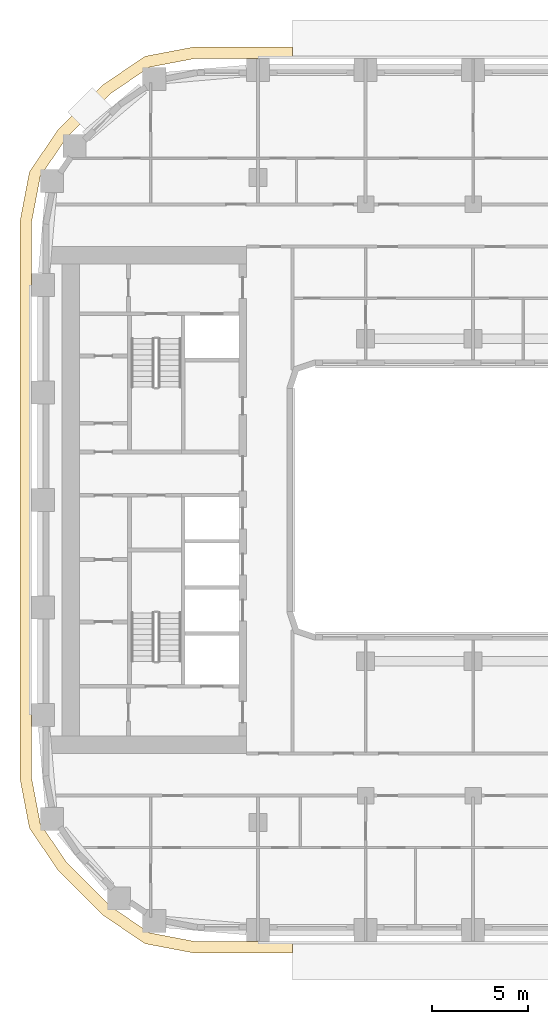
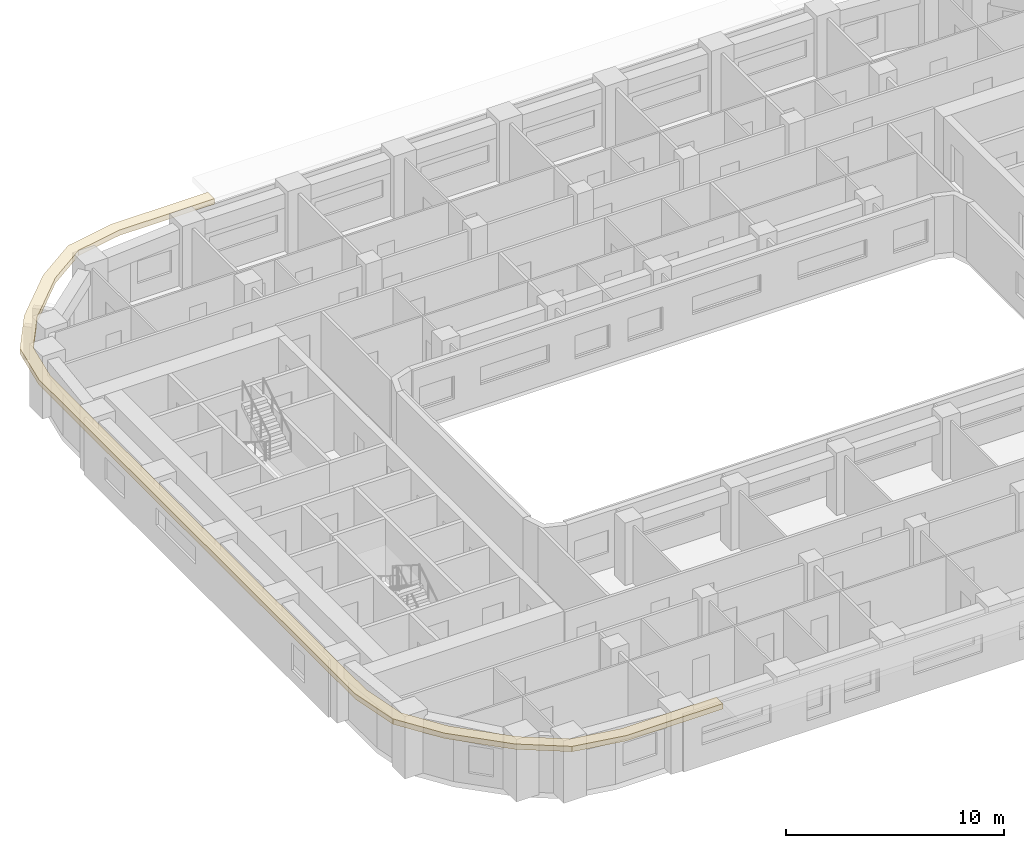
# One storey, part 14 of 21: 1 covering.
"""IFC4 building model written with IfcOpenShell, lengths in metres."""

from ifc_helpers import new_model, si_unit, direction, frame, origin, place, context, subcontext, project, spatial, polyline, outline, extrude, material, layer, layer_set, type_object, element, save


model = new_model("IFC4")

# Units and contexts
model_context = context("Model", 3, precision=1e-05, world=origin(), true_north=direction((0.0, 1.0)))
body_context = subcontext(model_context, "Body", "Model", "MODEL_VIEW")
ifc_project = project(units=[si_unit("LENGTHUNIT", "METRE"), si_unit("AREAUNIT", "SQUARE_METRE"), si_unit("VOLUMEUNIT", "CUBIC_METRE"), si_unit("PLANEANGLEUNIT", "RADIAN"), si_unit("MASSUNIT", "GRAM", prefix="KILO")], contexts=[model_context])

# Site, building, storey
site_placement = place(None, origin())
site = spatial("IfcSite", under=ifc_project, at=site_placement, CompositionType="ELEMENT")
building_placement = place(site_placement, origin())
building = spatial("IfcBuilding", under=site, at=building_placement, Name="Kiln Ring Residences", CompositionType="ELEMENT")
storey_placement = place(building_placement, frame((0.0, 0.0, 114.800048828125)))
storey = spatial("IfcBuildingStorey", under=building, at=storey_placement, Name="L29", CompositionType="ELEMENT", Elevation=114.800048828125)

# Covering
ifc_material = material(Name="Black powder-coated steel", Category="steel")
ifc_layer = layer(ifc_material, 0.300048828125)
ifc_layer_set = layer_set([ifc_layer], Name="SUNSHADE FIN 600")
covering_type = type_object("IfcCoveringType", Name="SUNSHADE FIN 600", PredefinedType="CLADDING", material=ifc_layer_set)
covering_placement = place(storey_placement, frame((0.0, 0.0, 3.199951171875)))
element("IfcCovering", 1, at=covering_placement, inside=storey, type_object=covering_type, Name="SUNSHADE FIN L29", PredefinedType="CLADDING", context=body_context, shape_type="SweptSolid", body=[
    extrude(outline(polyline([(-29.199951171875, -14.513427734375), (-28.7080078125, -17.09326171875), (-27.231689453125, -19.265380859375), (-24.865478515625, -21.631591796875), (-22.693115234375, -23.10791015625), (-20.11328125, -23.60009765625), (-15.0, -23.60009765625), (-15.0, -23.0), (-20.056640625, -23.0), (-22.458740234375, -22.541748046875), (-24.481201171875, -21.167236328125), (-26.767333984375, -18.881103515625), (-28.141845703125, -16.858642578125), (-28.60009765625, -14.456787109375), (-28.60009765625, 14.456787109375), (-28.141845703125, 16.858642578125), (-26.767333984375, 18.881103515625), (-24.481201171875, 21.167236328125), (-22.458740234375, 22.541748046875), (-20.056640625, 23.0), (-15.0, 23.0), (-15.0, 23.60009765625), (-20.11328125, 23.60009765625), (-22.693115234375, 23.10791015625), (-24.865478515625, 21.631591796875), (-27.231689453125, 19.265380859375), (-28.7080078125, 17.09326171875), (-29.199951171875, 14.513427734375), (-29.199951171875, -14.513427734375)])), origin(), (0.0, 0.0, 1.0), 0.300048828125),
])

save(model, "model.ifc")
